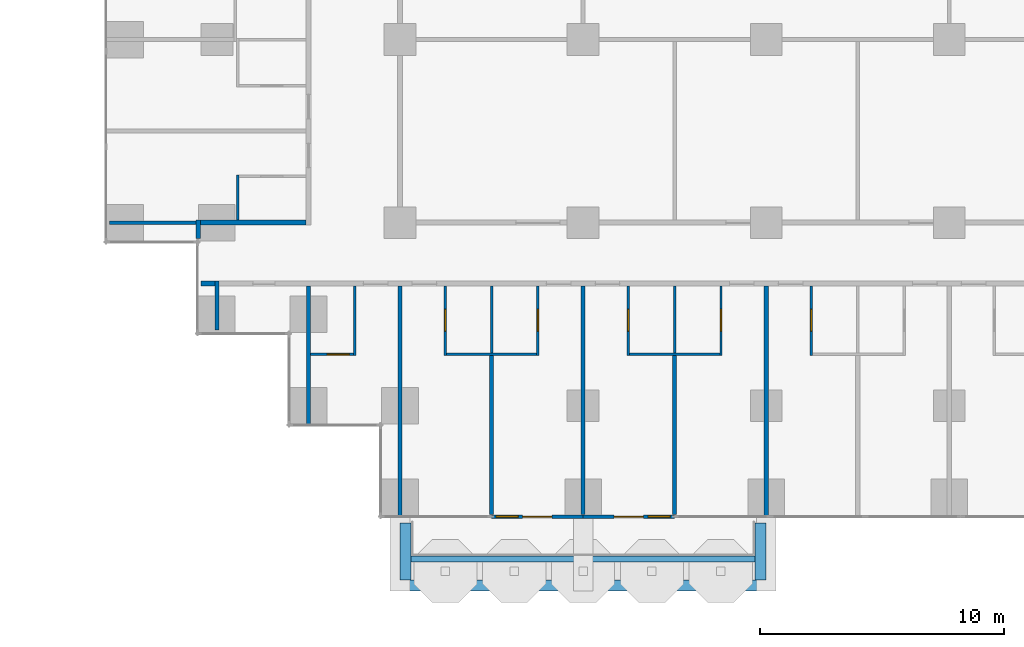
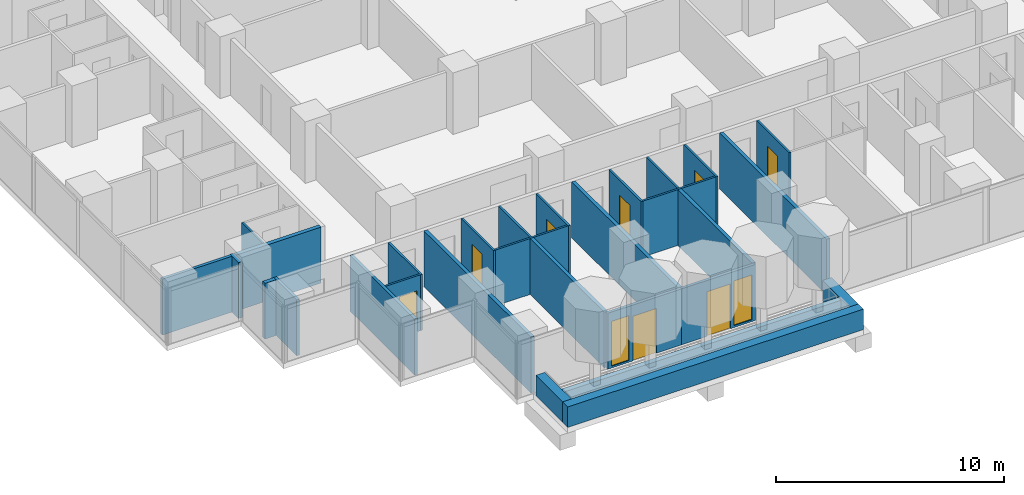
# One storey, part 10 of 19: 29 walls, 8 doors, 2 windows, 10 openings.
"""IFC4 building model written with IfcOpenShell, lengths in metres."""

from ifc_helpers import new_model, si_unit, direction, frame, frame_2d, origin, place, context, subcontext, project, spatial, rectangle, extrude, material, layer, layer_set, type_object, element, fill, save


model = new_model("IFC4")

# Units and contexts
model_context = context("Model", 3, precision=1e-05, world=origin(), true_north=direction((0.0, 1.0)))
body_context = subcontext(model_context, "Body", "Model", "MODEL_VIEW")
ifc_project = project(units=[si_unit("LENGTHUNIT", "METRE"), si_unit("AREAUNIT", "SQUARE_METRE"), si_unit("VOLUMEUNIT", "CUBIC_METRE"), si_unit("PLANEANGLEUNIT", "RADIAN"), si_unit("MASSUNIT", "GRAM", prefix="KILO")], contexts=[model_context])

# Site, building, storey
site_placement = place(None, origin())
site = spatial("IfcSite", under=ifc_project, at=site_placement, CompositionType="ELEMENT")
building_placement = place(site_placement, origin())
building = spatial("IfcBuilding", under=site, at=building_placement, Name="Pilkhan Gate Tower", CompositionType="ELEMENT")
storey_placement = place(building_placement, frame((0.0, 0.0, 95.60009765625)))
storey = spatial("IfcBuildingStorey", under=building, at=storey_placement, Name="L23", CompositionType="ELEMENT", Elevation=95.60009765625)

# Walls
ifc_material_1 = material(Name="Dense blockwork", Category="masonry")
ifc_layer_1 = layer(ifc_material_1, 0.175048828125)
ifc_layer_set_1 = layer_set([ifc_layer_1], Name="Acoustic party wall PW175")
wall_type_1 = type_object("IfcWallType", Name="Acoustic party wall PW175", PredefinedType="PARTITIONING", material=ifc_layer_set_1)
wall_1_placement = place(storey_placement, frame((60.0, 40.485107421875, 0.0), z_axis=(0.0, 0.0, 1.0), x_axis=(0.0, 1.0, 0.0)))
element("IfcWall", 1, at=wall_1_placement, inside=storey, type_object=wall_type_1, Name="Partition L23", PredefinedType="PARTITIONING", context=body_context, shape_type="SweptSolid", body=[
    extrude(rectangle(XDim=9.414794921875, YDim=0.175048828125, at=frame_2d((4.70751953125, 0.0))), origin(), (0.0, 0.0, 1.0), 3.0),
])
wall_2_placement = place(storey_placement, frame((63.75, 40.5400390625, 0.0), z_axis=(0.0, 0.0, 1.0), x_axis=(0.0, 1.0, 0.0)))
element("IfcWall", 2, at=wall_2_placement, inside=storey, type_object=wall_type_1, Name="Partition L23", PredefinedType="PARTITIONING", context=body_context, shape_type="SweptSolid", body=[
    extrude(rectangle(XDim=6.510009765625, YDim=0.175048828125, at=frame_2d((3.2548828125, 0.0))), origin(), (0.0, 0.0, 1.0), 3.0),
])
wall_3_placement = place(storey_placement, frame((67.5, 40.5400390625, 0.0), z_axis=(0.0, 0.0, 1.0), x_axis=(0.0, 1.0, 0.0)))
element("IfcWall", 3, at=wall_3_placement, inside=storey, type_object=wall_type_1, Name="Partition L23", PredefinedType="PARTITIONING", context=body_context, shape_type="SweptSolid", body=[
    extrude(rectangle(XDim=9.35986328125, YDim=0.175048828125, at=frame_2d((4.679931640625, 0.0))), origin(), (0.0, 0.0, 1.0), 3.0),
])
wall_4_placement = place(storey_placement, frame((71.25, 40.5400390625, 0.0), z_axis=(0.0, 0.0, 1.0), x_axis=(0.0, 1.0, 0.0)))
element("IfcWall", 4, at=wall_4_placement, inside=storey, type_object=wall_type_1, Name="Partition L23", PredefinedType="PARTITIONING", context=body_context, shape_type="SweptSolid", body=[
    extrude(rectangle(XDim=6.510009765625, YDim=0.175048828125, at=frame_2d((3.2548828125, 0.0))), origin(), (0.0, 0.0, 1.0), 3.0),
])
wall_5_placement = place(storey_placement, frame((75.0, 40.485107421875, 0.0), z_axis=(0.0, 0.0, 1.0), x_axis=(0.0, 1.0, 0.0)))
element("IfcWall", 5, at=wall_5_placement, inside=storey, type_object=wall_type_1, Name="Partition L23", PredefinedType="PARTITIONING", context=body_context, shape_type="SweptSolid", body=[
    extrude(rectangle(XDim=9.414794921875, YDim=0.175048828125, at=frame_2d((4.70751953125, 0.0))), origin(), (0.0, 0.0, 1.0), 3.0),
])
ifc_material_2 = material(Name="Concrete C40/50", Category="concrete")
ifc_layer_2 = layer(ifc_material_2, 0.25)
ifc_layer_set_2 = layer_set([ifc_layer_2], Name="Balcony planter BP250")
wall_type_2 = type_object("IfcWallType", Name="Balcony planter BP250", PredefinedType="USERDEFINED", material=ifc_layer_set_2)
wall_6_placement = place(storey_placement, frame((60.449951171875, 38.72509765625, 0.0), z_axis=(0.0, 0.0, 1.0), x_axis=(1.0, 0.0, 0.0)))
element("IfcWall", 6, at=wall_6_placement, inside=storey, type_object=wall_type_2, Name="Balcony planter L23 S", ObjectType="BALCONY PLANTER", PredefinedType="USERDEFINED", context=body_context, shape_type="SweptSolid", body=[
    extrude(rectangle(XDim=14.10009765625, YDim=0.25, at=frame_2d((7.050048828125, 0.0))), origin(), (0.0, 0.0, 1.0), 1.0),
])
ifc_material_3 = material(Name="Board-marked Concrete C40/50", Category="concrete")
ifc_layer_3 = layer(ifc_material_3, 0.449951171875)
ifc_layer_set_3 = layer_set([ifc_layer_3], Name="Balcony planter lip BL450")
wall_type_3 = type_object("IfcWallType", Name="Balcony planter lip BL450", PredefinedType="USERDEFINED", material=ifc_layer_set_3)
wall_7_placement = place(storey_placement, frame((60.0, 37.625, 0.0), z_axis=(0.0, 0.0, 1.0), x_axis=(1.0, 0.0, 0.0)))
element("IfcWall", 7, at=wall_7_placement, inside=storey, type_object=wall_type_3, Name="Balcony planter L23 S", ObjectType="BALCONY PLANTER", PredefinedType="USERDEFINED", context=body_context, shape_type="SweptSolid", body=[
    extrude(rectangle(XDim=15.0, YDim=0.449951171875, at=frame_2d((7.5, 0.0))), origin(), (0.0, 0.0, 1.0), 1.099853515625),
])
for number, where, z_axis, x_axis, name in (
    (8, (60.22509765625, 40.199951171875, 0.0), (0.0, 0.0, 1.0), (0.0, -1.0, 0.0), "Balcony planter L23 S"),
    (9, (74.77490234375, 40.199951171875, 0.0), (0.0, 0.0, 1.0), (0.0, -1.0, 0.0), "Balcony planter L23 S"),
):
    element("IfcWall", number, at=place(storey_placement, frame(where, z_axis=z_axis, x_axis=x_axis)), inside=storey, type_object=wall_type_3, Name=name, ObjectType="BALCONY PLANTER", PredefinedType="USERDEFINED", context=body_context, shape_type="SweptSolid", body=[
        extrude(rectangle(XDim=2.349853515625, YDim=0.449951171875, at=frame_2d((1.1748046875, 0.0))), origin(), (0.0, 0.0, 1.0), 1.099853515625),
    ])
ifc_layer_4 = layer(ifc_material_1, 0.199951171875)
ifc_layer_set_4 = layer_set([ifc_layer_4], Name="Corridor wall FW200")
wall_type_4 = type_object("IfcWallType", Name="Corridor wall FW200", PredefinedType="PARTITIONING", material=ifc_layer_set_4)
wall_8_placement = place(storey_placement, frame((51.85498046875, 50.0, 0.0), z_axis=(0.0, 0.0, 1.0), x_axis=(1.0, 0.0, 0.0)))
element("IfcWall", 10, at=wall_8_placement, inside=storey, type_object=wall_type_4, Name="Partition L23", PredefinedType="PARTITIONING", context=body_context, shape_type="SweptSolid", body=[
    extrude(rectangle(XDim=0.570068359375, YDim=0.199951171875, at=frame_2d((0.28515625, 0.0))), origin(), (0.0, 0.0, 1.0), 3.0),
])
wall_9_placement = place(storey_placement, frame((51.8349609375, 52.5, 0.0), z_axis=(0.0, 0.0, 1.0), x_axis=(1.0, 0.0, 0.0)))
element("IfcWall", 11, at=wall_9_placement, inside=storey, type_object=wall_type_4, Name="Partition L23", PredefinedType="PARTITIONING", context=body_context, shape_type="SweptSolid", body=[
    extrude(rectangle(XDim=4.31494140625, YDim=0.199951171875, at=frame_2d((2.157470703125, 0.0))), origin(), (0.0, 0.0, 1.0), 3.0),
])
wall_10_placement = place(storey_placement, frame((51.735107421875, 51.85498046875, 0.0), z_axis=(0.0, 0.0, 1.0), x_axis=(0.0, 1.0, 0.0)))
element("IfcWall", 12, at=wall_10_placement, inside=storey, type_object=wall_type_4, Name="Partition L23", PredefinedType="PARTITIONING", context=body_context, shape_type="SweptSolid", body=[
    extrude(rectangle(XDim=0.7451171875, YDim=0.199951171875, at=frame_2d((0.37255859375, 0.0))), origin(), (0.0, 0.0, 1.0), 3.0),
])

# Wall, openings, door, window
ifc_material_4 = material(Name="Pale anodised aluminium, clear laminated glazing", Category="aluminium")
ifc_layer_5 = layer(ifc_material_4, 0.14990234375)
ifc_layer_set_5 = layer_set([ifc_layer_5], Name="Facade infill wall IW150")
wall_type_5 = type_object("IfcWallType", Name="Facade infill wall IW150", PredefinedType="SOLIDWALL", material=ifc_layer_set_5)
wall_11_placement = place(storey_placement, frame((63.75, 40.455078125, 0.0), z_axis=(0.0, 0.0, 1.0), x_axis=(1.0, 0.0, 0.0)))
wall_11 = element("IfcWall", 13, at=wall_11_placement, inside=storey, type_object=wall_type_5, Name="Infill wall L23 S", PredefinedType="SOLIDWALL", context=body_context, shape_type="SweptSolid", body=[
    extrude(rectangle(XDim=3.75, YDim=0.14990234375, at=frame_2d((1.875, 0.0))), origin(), (0.0, 0.0, 1.0), 3.0),
])
opening_1_placement = place(wall_11_placement, frame((0.1875, 0.0, 0.10009765625)))
opening_1 = element("IfcOpeningElement", 14, at=opening_1_placement, cuts=wall_11, Name="Opening W1", PredefinedType="OPENING", context=body_context, shape_type="SweptSolid", body=[
    extrude(rectangle(XDim=0.89990234375, YDim=2.39990234375, at=frame_2d((0.449951171875, 1.199951171875))), frame((0.0, 0.0849609375, 0.0), z_axis=(0.0, -1.0, 0.0), x_axis=(1.0, 0.0, 0.0)), (0.0, 0.0, 1.0), 0.169921875),
])
opening_2_placement = place(wall_11_placement, frame((1.27490234375, 0.0, 0.0)))
opening_2 = element("IfcOpeningElement", 15, at=opening_2_placement, cuts=wall_11, Name="Opening D1", PredefinedType="OPENING", context=body_context, shape_type="SweptSolid", body=[
    extrude(rectangle(XDim=1.199951171875, YDim=2.39990234375, at=frame_2d((0.60009765625, 1.199951171875))), frame((0.0, 0.0849609375, 0.0), z_axis=(0.0, -1.0, 0.0), x_axis=(1.0, 0.0, 0.0)), (0.0, 0.0, 1.0), 0.169921875),
])
ifc_material_5 = material(Name="Pale anodised aluminium, clear glazing", Category="aluminium")
door_type_1 = type_object("IfcDoorType", Name="Balcony door D1 1200x2400", OperationType="SINGLE_SWING_LEFT", PredefinedType="DOOR", material=ifc_material_5)
door_1_placement = place(opening_2_placement, origin())
door_1 = element("IfcDoor", 16, at=door_1_placement, inside=storey, type_object=door_type_1, Name="Balcony door L23", OperationType="SINGLE_SWING_LEFT", OverallHeight=2.39990234375, OverallWidth=1.199951171875, PredefinedType="DOOR", context=body_context, shape_type="SweptSolid", body=[
    extrude(rectangle(XDim=1.199951171875, YDim=2.39990234375, at=frame_2d((0.60009765625, 1.199951171875))), frame((0.0, 0.02490234375, 0.0), z_axis=(0.0, -1.0, 0.0), x_axis=(1.0, 0.0, 0.0)), (0.0, 0.0, 1.0), 0.050048828125),
])
fill(opening_2, door_1)
ifc_material_6 = material(Name="Pale anodised aluminium, clear double glazing", Category="aluminium")
window_type = type_object("IfcWindowType", Name="Window W1 900x2400", PartitioningType="SINGLE_PANEL", PredefinedType="WINDOW", material=ifc_material_6)
window_1_placement = place(opening_1_placement, origin())
window_1 = element("IfcWindow", 17, at=window_1_placement, inside=storey, type_object=window_type, Name="Window L23", OverallHeight=2.39990234375, OverallWidth=0.89990234375, PartitioningType="SINGLE_PANEL", PredefinedType="WINDOW", context=body_context, shape_type="SweptSolid", body=[
    extrude(rectangle(XDim=0.89990234375, YDim=2.39990234375, at=frame_2d((0.449951171875, 1.199951171875))), frame((0.0, 0.030029296875, 0.0), z_axis=(0.0, -1.0, 0.0), x_axis=(1.0, 0.0, 0.0)), (0.0, 0.0, 1.0), 0.06005859375),
])
fill(opening_1, window_1)

wall_12_placement = place(storey_placement, frame((67.5, 40.455078125, 0.0), z_axis=(0.0, 0.0, 1.0), x_axis=(1.0, 0.0, 0.0)))
wall_12 = element("IfcWall", 18, at=wall_12_placement, inside=storey, type_object=wall_type_5, Name="Infill wall L23 S", PredefinedType="SOLIDWALL", context=body_context, shape_type="SweptSolid", body=[
    extrude(rectangle(XDim=3.75, YDim=0.14990234375, at=frame_2d((1.875, 0.0))), origin(), (0.0, 0.0, 1.0), 3.0),
])
opening_3_placement = place(wall_12_placement, frame((1.27490234375, 0.0, 0.0)))
opening_3 = element("IfcOpeningElement", 19, at=opening_3_placement, cuts=wall_12, Name="Opening D1", PredefinedType="OPENING", context=body_context, shape_type="SweptSolid", body=[
    extrude(rectangle(XDim=1.199951171875, YDim=2.39990234375, at=frame_2d((0.60009765625, 1.199951171875))), frame((0.0, 0.0849609375, 0.0), z_axis=(0.0, -1.0, 0.0), x_axis=(1.0, 0.0, 0.0)), (0.0, 0.0, 1.0), 0.169921875),
])
opening_4_placement = place(wall_12_placement, frame((2.66259765625, 0.0, 0.10009765625)))
opening_4 = element("IfcOpeningElement", 20, at=opening_4_placement, cuts=wall_12, Name="Opening W1", PredefinedType="OPENING", context=body_context, shape_type="SweptSolid", body=[
    extrude(rectangle(XDim=0.89990234375, YDim=2.39990234375, at=frame_2d((0.449951171875, 1.199951171875))), frame((0.0, 0.0849609375, 0.0), z_axis=(0.0, -1.0, 0.0), x_axis=(1.0, 0.0, 0.0)), (0.0, 0.0, 1.0), 0.169921875),
])
door_2_placement = place(opening_3_placement, origin())
door_2 = element("IfcDoor", 21, at=door_2_placement, inside=storey, type_object=door_type_1, Name="Balcony door L23", OperationType="SINGLE_SWING_LEFT", OverallHeight=2.39990234375, OverallWidth=1.199951171875, PredefinedType="DOOR", context=body_context, shape_type="SweptSolid", body=[
    extrude(rectangle(XDim=1.199951171875, YDim=2.39990234375, at=frame_2d((0.60009765625, 1.199951171875))), frame((0.0, 0.02490234375, 0.0), z_axis=(0.0, -1.0, 0.0), x_axis=(1.0, 0.0, 0.0)), (0.0, 0.0, 1.0), 0.050048828125),
])
fill(opening_3, door_2)
window_2_placement = place(opening_4_placement, origin())
window_2 = element("IfcWindow", 22, at=window_2_placement, inside=storey, type_object=window_type, Name="Window L23", OverallHeight=2.39990234375, OverallWidth=0.89990234375, PartitioningType="SINGLE_PANEL", PredefinedType="WINDOW", context=body_context, shape_type="SweptSolid", body=[
    extrude(rectangle(XDim=0.89990234375, YDim=2.39990234375, at=frame_2d((0.449951171875, 1.199951171875))), frame((0.0, 0.030029296875, 0.0), z_axis=(0.0, -1.0, 0.0), x_axis=(1.0, 0.0, 0.0)), (0.0, 0.0, 1.0), 0.06005859375),
])
fill(opening_4, window_2)

# Walls
ifc_material_7 = material(Name="Blockwork partition, plastered both sides", Category="masonry")
ifc_layer_6 = layer(ifc_material_7, 0.14990234375)
ifc_layer_set_6 = layer_set([ifc_layer_6], Name="Partition PW150")
wall_type_6 = type_object("IfcWallType", Name="Partition PW150", PredefinedType="PARTITIONING", material=ifc_layer_set_6)
wall_13_placement = place(storey_placement, frame((48.10498046875, 52.5, 0.0), z_axis=(0.0, 0.0, 1.0), x_axis=(1.0, 0.0, 0.0)))
element("IfcWall", 23, at=wall_13_placement, inside=storey, type_object=wall_type_6, Name="Partition L23", PredefinedType="PARTITIONING", context=body_context, shape_type="SweptSolid", body=[
    extrude(rectangle(XDim=3.530029296875, YDim=0.14990234375, at=frame_2d((1.76513671875, 0.0))), origin(), (0.0, 0.0, 1.0), 3.0),
])
wall_14_placement = place(storey_placement, frame((52.5, 48.10498046875, 0.0), z_axis=(0.0, 0.0, 1.0), x_axis=(0.0, 1.0, 0.0)))
element("IfcWall", 24, at=wall_14_placement, inside=storey, type_object=wall_type_6, Name="Partition L23", PredefinedType="PARTITIONING", context=body_context, shape_type="SweptSolid", body=[
    extrude(rectangle(XDim=1.9951171875, YDim=0.14990234375, at=frame_2d((0.99755859375, 0.0))), origin(), (0.0, 0.0, 1.0), 3.0),
])
wall_15_placement = place(storey_placement, frame((56.25, 44.235107421875, 0.0), z_axis=(0.0, 0.0, 1.0), x_axis=(0.0, 1.0, 0.0)))
element("IfcWall", 25, at=wall_15_placement, inside=storey, type_object=wall_type_6, Name="Partition L23", PredefinedType="PARTITIONING", context=body_context, shape_type="SweptSolid", body=[
    extrude(rectangle(XDim=5.664794921875, YDim=0.14990234375, at=frame_2d((2.83251953125, 0.0))), origin(), (0.0, 0.0, 1.0), 3.0),
])

# Wall, opening, door
ifc_material_8 = material(Name="Moisture resistant board, tiled")
ifc_layer_7 = layer(ifc_material_8, 0.10009765625)
ifc_layer_set_7 = layer_set([ifc_layer_7], Name="Wet wall PW100")
wall_type_7 = type_object("IfcWallType", Name="Wet wall PW100", PredefinedType="PARTITIONING", material=ifc_layer_set_7)
wall_16_placement = place(storey_placement, frame((56.324951171875, 47.10009765625, 0.0), z_axis=(0.0, 0.0, 1.0), x_axis=(1.0, 0.0, 0.0)))
wall_16 = element("IfcWall", 26, at=wall_16_placement, inside=storey, type_object=wall_type_7, Name="Partition L23", PredefinedType="PARTITIONING", context=body_context, shape_type="SweptSolid", body=[
    extrude(rectangle(XDim=1.775146484375, YDim=0.10009765625, at=frame_2d((0.8876953125, 0.0))), origin(), (0.0, 0.0, 1.0), 3.0),
])
opening_5_placement = place(wall_16_placement, frame((0.699951171875, 0.0, 0.0)))
opening_5 = element("IfcOpeningElement", 27, at=opening_5_placement, cuts=wall_16, Name="Opening L23-07", PredefinedType="OPENING", context=body_context, shape_type="SweptSolid", body=[
    extrude(rectangle(XDim=0.89990234375, YDim=2.199951171875, at=frame_2d((0.449951171875, 1.10009765625))), frame((0.0, 0.06005859375, 0.0), z_axis=(0.0, -1.0, 0.0), x_axis=(1.0, 0.0, 0.0)), (0.0, 0.0, 1.0), 0.1201171875),
])
ifc_material_9 = material(Name="Timber flush door", Category="wood")
door_type_2 = type_object("IfcDoorType", Name="Bathroom door D02 900x2200", OperationType="SINGLE_SWING_RIGHT", PredefinedType="DOOR", material=ifc_material_9)
door_3_placement = place(opening_5_placement, origin())
door_3 = element("IfcDoor", 28, at=door_3_placement, inside=storey, type_object=door_type_2, Name="Bathroom door", OperationType="SINGLE_SWING_RIGHT", OverallHeight=2.199951171875, OverallWidth=0.89990234375, PredefinedType="DOOR", context=body_context, shape_type="SweptSolid", body=[
    extrude(rectangle(XDim=0.89990234375, YDim=2.199951171875, at=frame_2d((0.449951171875, 1.10009765625))), frame((0.0, 0.02490234375, 0.0), z_axis=(0.0, -1.0, 0.0), x_axis=(1.0, 0.0, 0.0)), (0.0, 0.0, 1.0), 0.050048828125),
])
fill(opening_5, door_3)

# Walls
for number, where, z_axis, x_axis, name in (
    (29, (61.89990234375, 47.10009765625, 0.0), (0.0, 0.0, 1.0), (1.0, 0.0, 0.0), "Partition L23"),
    (30, (69.39990234375, 47.10009765625, 0.0), (0.0, 0.0, 1.0), (1.0, 0.0, 0.0), "Partition L23"),
):
    element("IfcWall", number, at=place(storey_placement, frame(where, z_axis=z_axis, x_axis=x_axis)), inside=storey, type_object=wall_type_7, Name=name, PredefinedType="PARTITIONING", context=body_context, shape_type="SweptSolid", body=[
        extrude(rectangle(XDim=3.7001953125, YDim=0.10009765625, at=frame_2d((1.85009765625, 0.0))), origin(), (0.0, 0.0, 1.0), 3.0),
    ])
wall_17_placement = place(storey_placement, frame((53.35009765625, 52.60009765625, 0.0), z_axis=(0.0, 0.0, 1.0), x_axis=(0.0, 1.0, 0.0)))
element("IfcWall", 31, at=wall_17_placement, inside=storey, type_object=wall_type_7, Name="Partition L23", PredefinedType="PARTITIONING", context=body_context, shape_type="SweptSolid", body=[
    extrude(rectangle(XDim=1.849853515625, YDim=0.10009765625, at=frame_2d((0.9248046875, 0.0))), origin(), (0.0, 0.0, 1.0), 3.0),
])
wall_18_placement = place(storey_placement, frame((58.14990234375, 47.050048828125, 0.0), z_axis=(0.0, 0.0, 1.0), x_axis=(0.0, 1.0, 0.0)))
element("IfcWall", 32, at=wall_18_placement, inside=storey, type_object=wall_type_7, Name="Partition L23", PredefinedType="PARTITIONING", context=body_context, shape_type="SweptSolid", body=[
    extrude(rectangle(XDim=2.849853515625, YDim=0.10009765625, at=frame_2d((1.4248046875, 0.0))), origin(), (0.0, 0.0, 1.0), 3.0),
])

# Wall, opening, door
wall_19_placement = place(storey_placement, frame((61.85009765625, 47.050048828125, 0.0), z_axis=(0.0, 0.0, 1.0), x_axis=(0.0, 1.0, 0.0)))
wall_19 = element("IfcWall", 33, at=wall_19_placement, inside=storey, type_object=wall_type_7, Name="Partition L23", PredefinedType="PARTITIONING", context=body_context, shape_type="SweptSolid", body=[
    extrude(rectangle(XDim=2.849853515625, YDim=0.10009765625, at=frame_2d((1.4248046875, 0.0))), origin(), (0.0, 0.0, 1.0), 3.0),
])
opening_6_placement = place(wall_19_placement, frame((1.0, 0.0, 0.0)))
opening_6 = element("IfcOpeningElement", 34, at=opening_6_placement, cuts=wall_19, Name="Opening L23-09", PredefinedType="OPENING", context=body_context, shape_type="SweptSolid", body=[
    extrude(rectangle(XDim=0.89990234375, YDim=2.199951171875, at=frame_2d((0.449951171875, 1.10009765625))), frame((0.0, 0.06005859375, 0.0), z_axis=(0.0, -1.0, 0.0), x_axis=(1.0, 0.0, 0.0)), (0.0, 0.0, 1.0), 0.1201171875),
])
door_4_placement = place(opening_6_placement, origin())
door_4 = element("IfcDoor", 35, at=door_4_placement, inside=storey, type_object=door_type_2, Name="Bathroom door", OperationType="SINGLE_SWING_RIGHT", OverallHeight=2.199951171875, OverallWidth=0.89990234375, PredefinedType="DOOR", context=body_context, shape_type="SweptSolid", body=[
    extrude(rectangle(XDim=0.89990234375, YDim=2.199951171875, at=frame_2d((0.449951171875, 1.10009765625))), frame((0.0, 0.02490234375, 0.0), z_axis=(0.0, -1.0, 0.0), x_axis=(1.0, 0.0, 0.0)), (0.0, 0.0, 1.0), 0.050048828125),
])
fill(opening_6, door_4)

# Wall
wall_20_placement = place(storey_placement, frame((63.75, 47.14990234375, 0.0), z_axis=(0.0, 0.0, 1.0), x_axis=(0.0, 1.0, 0.0)))
element("IfcWall", 36, at=wall_20_placement, inside=storey, type_object=wall_type_7, Name="Partition L23", PredefinedType="PARTITIONING", context=body_context, shape_type="SweptSolid", body=[
    extrude(rectangle(XDim=2.75, YDim=0.10009765625, at=frame_2d((1.375, 0.0))), origin(), (0.0, 0.0, 1.0), 3.0),
])

# Wall, opening, door
wall_21_placement = place(storey_placement, frame((65.64990234375, 47.050048828125, 0.0), z_axis=(0.0, 0.0, 1.0), x_axis=(0.0, 1.0, 0.0)))
wall_21 = element("IfcWall", 37, at=wall_21_placement, inside=storey, type_object=wall_type_7, Name="Partition L23", PredefinedType="PARTITIONING", context=body_context, shape_type="SweptSolid", body=[
    extrude(rectangle(XDim=2.849853515625, YDim=0.10009765625, at=frame_2d((1.4248046875, 0.0))), origin(), (0.0, 0.0, 1.0), 3.0),
])
opening_7_placement = place(wall_21_placement, frame((1.0, 0.0, 0.0)))
opening_7 = element("IfcOpeningElement", 38, at=opening_7_placement, cuts=wall_21, Name="Opening L23-11", PredefinedType="OPENING", context=body_context, shape_type="SweptSolid", body=[
    extrude(rectangle(XDim=0.89990234375, YDim=2.199951171875, at=frame_2d((0.449951171875, 1.10009765625))), frame((0.0, 0.06005859375, 0.0), z_axis=(0.0, -1.0, 0.0), x_axis=(1.0, 0.0, 0.0)), (0.0, 0.0, 1.0), 0.1201171875),
])
door_5_placement = place(opening_7_placement, origin())
door_5 = element("IfcDoor", 39, at=door_5_placement, inside=storey, type_object=door_type_2, Name="Bathroom door", OperationType="SINGLE_SWING_RIGHT", OverallHeight=2.199951171875, OverallWidth=0.89990234375, PredefinedType="DOOR", context=body_context, shape_type="SweptSolid", body=[
    extrude(rectangle(XDim=0.89990234375, YDim=2.199951171875, at=frame_2d((0.449951171875, 1.10009765625))), frame((0.0, 0.02490234375, 0.0), z_axis=(0.0, -1.0, 0.0), x_axis=(1.0, 0.0, 0.0)), (0.0, 0.0, 1.0), 0.050048828125),
])
fill(opening_7, door_5)

wall_22_placement = place(storey_placement, frame((69.35009765625, 47.050048828125, 0.0), z_axis=(0.0, 0.0, 1.0), x_axis=(0.0, 1.0, 0.0)))
wall_22 = element("IfcWall", 40, at=wall_22_placement, inside=storey, type_object=wall_type_7, Name="Partition L23", PredefinedType="PARTITIONING", context=body_context, shape_type="SweptSolid", body=[
    extrude(rectangle(XDim=2.849853515625, YDim=0.10009765625, at=frame_2d((1.4248046875, 0.0))), origin(), (0.0, 0.0, 1.0), 3.0),
])
opening_8_placement = place(wall_22_placement, frame((1.0, 0.0, 0.0)))
opening_8 = element("IfcOpeningElement", 41, at=opening_8_placement, cuts=wall_22, Name="Opening L23-13", PredefinedType="OPENING", context=body_context, shape_type="SweptSolid", body=[
    extrude(rectangle(XDim=0.89990234375, YDim=2.199951171875, at=frame_2d((0.449951171875, 1.10009765625))), frame((0.0, 0.06005859375, 0.0), z_axis=(0.0, -1.0, 0.0), x_axis=(1.0, 0.0, 0.0)), (0.0, 0.0, 1.0), 0.1201171875),
])
door_6_placement = place(opening_8_placement, origin())
door_6 = element("IfcDoor", 42, at=door_6_placement, inside=storey, type_object=door_type_2, Name="Bathroom door", OperationType="SINGLE_SWING_RIGHT", OverallHeight=2.199951171875, OverallWidth=0.89990234375, PredefinedType="DOOR", context=body_context, shape_type="SweptSolid", body=[
    extrude(rectangle(XDim=0.89990234375, YDim=2.199951171875, at=frame_2d((0.449951171875, 1.10009765625))), frame((0.0, 0.02490234375, 0.0), z_axis=(0.0, -1.0, 0.0), x_axis=(1.0, 0.0, 0.0)), (0.0, 0.0, 1.0), 0.050048828125),
])
fill(opening_8, door_6)

# Wall
wall_23_placement = place(storey_placement, frame((71.25, 47.14990234375, 0.0), z_axis=(0.0, 0.0, 1.0), x_axis=(0.0, 1.0, 0.0)))
element("IfcWall", 43, at=wall_23_placement, inside=storey, type_object=wall_type_7, Name="Partition L23", PredefinedType="PARTITIONING", context=body_context, shape_type="SweptSolid", body=[
    extrude(rectangle(XDim=2.75, YDim=0.10009765625, at=frame_2d((1.375, 0.0))), origin(), (0.0, 0.0, 1.0), 3.0),
])

# Wall, opening, door
wall_24_placement = place(storey_placement, frame((73.14990234375, 47.050048828125, 0.0), z_axis=(0.0, 0.0, 1.0), x_axis=(0.0, 1.0, 0.0)))
wall_24 = element("IfcWall", 44, at=wall_24_placement, inside=storey, type_object=wall_type_7, Name="Partition L23", PredefinedType="PARTITIONING", context=body_context, shape_type="SweptSolid", body=[
    extrude(rectangle(XDim=2.849853515625, YDim=0.10009765625, at=frame_2d((1.4248046875, 0.0))), origin(), (0.0, 0.0, 1.0), 3.0),
])
opening_9_placement = place(wall_24_placement, frame((1.0, 0.0, 0.0)))
opening_9 = element("IfcOpeningElement", 45, at=opening_9_placement, cuts=wall_24, Name="Opening L23-15", PredefinedType="OPENING", context=body_context, shape_type="SweptSolid", body=[
    extrude(rectangle(XDim=0.89990234375, YDim=2.199951171875, at=frame_2d((0.449951171875, 1.10009765625))), frame((0.0, 0.06005859375, 0.0), z_axis=(0.0, -1.0, 0.0), x_axis=(1.0, 0.0, 0.0)), (0.0, 0.0, 1.0), 0.1201171875),
])
door_7_placement = place(opening_9_placement, origin())
door_7 = element("IfcDoor", 46, at=door_7_placement, inside=storey, type_object=door_type_2, Name="Bathroom door", OperationType="SINGLE_SWING_RIGHT", OverallHeight=2.199951171875, OverallWidth=0.89990234375, PredefinedType="DOOR", context=body_context, shape_type="SweptSolid", body=[
    extrude(rectangle(XDim=0.89990234375, YDim=2.199951171875, at=frame_2d((0.449951171875, 1.10009765625))), frame((0.0, 0.02490234375, 0.0), z_axis=(0.0, -1.0, 0.0), x_axis=(1.0, 0.0, 0.0)), (0.0, 0.0, 1.0), 0.050048828125),
])
fill(opening_9, door_7)

wall_25_placement = place(storey_placement, frame((76.85009765625, 47.050048828125, 0.0), z_axis=(0.0, 0.0, 1.0), x_axis=(0.0, 1.0, 0.0)))
wall_25 = element("IfcWall", 47, at=wall_25_placement, inside=storey, type_object=wall_type_7, Name="Partition L23", PredefinedType="PARTITIONING", context=body_context, shape_type="SweptSolid", body=[
    extrude(rectangle(XDim=2.849853515625, YDim=0.10009765625, at=frame_2d((1.4248046875, 0.0))), origin(), (0.0, 0.0, 1.0), 3.0),
])
opening_10_placement = place(wall_25_placement, frame((1.0, 0.0, 0.0)))
opening_10 = element("IfcOpeningElement", 48, at=opening_10_placement, cuts=wall_25, Name="Opening L23-17", PredefinedType="OPENING", context=body_context, shape_type="SweptSolid", body=[
    extrude(rectangle(XDim=0.89990234375, YDim=2.199951171875, at=frame_2d((0.449951171875, 1.10009765625))), frame((0.0, 0.06005859375, 0.0), z_axis=(0.0, -1.0, 0.0), x_axis=(1.0, 0.0, 0.0)), (0.0, 0.0, 1.0), 0.1201171875),
])
door_8_placement = place(opening_10_placement, origin())
door_8 = element("IfcDoor", 49, at=door_8_placement, inside=storey, type_object=door_type_2, Name="Bathroom door", OperationType="SINGLE_SWING_RIGHT", OverallHeight=2.199951171875, OverallWidth=0.89990234375, PredefinedType="DOOR", context=body_context, shape_type="SweptSolid", body=[
    extrude(rectangle(XDim=0.89990234375, YDim=2.199951171875, at=frame_2d((0.449951171875, 1.10009765625))), frame((0.0, 0.02490234375, 0.0), z_axis=(0.0, -1.0, 0.0), x_axis=(1.0, 0.0, 0.0)), (0.0, 0.0, 1.0), 0.050048828125),
])
fill(opening_10, door_8)

save(model, "model.ifc")
